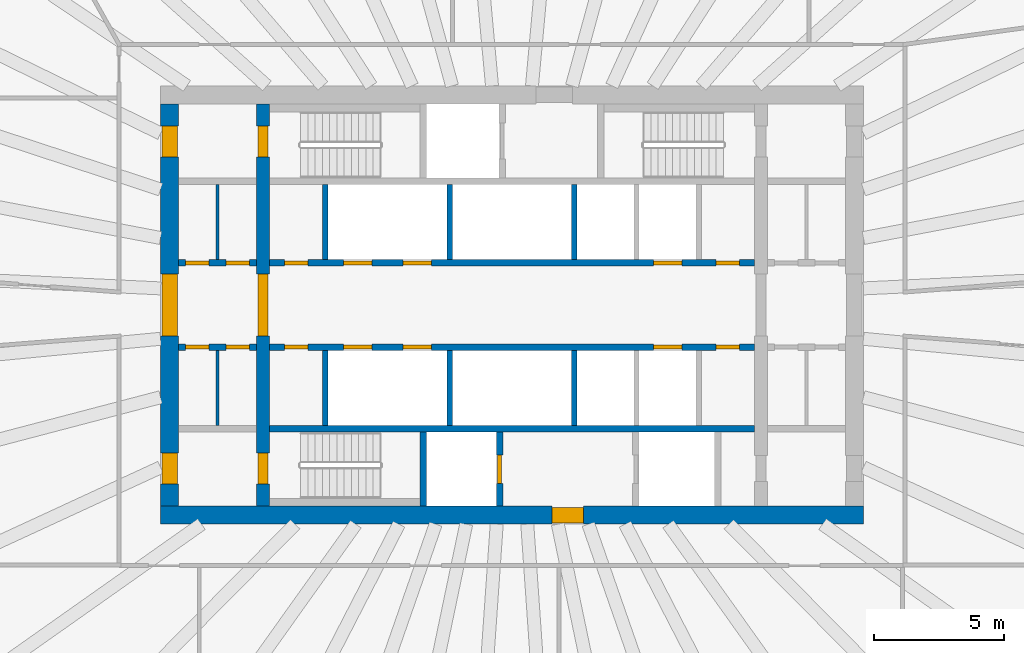
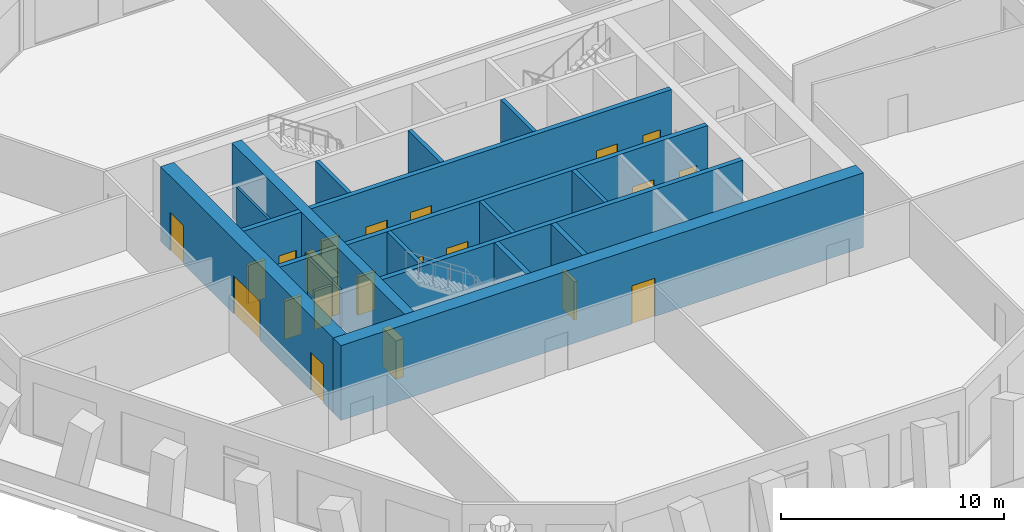
# One storey, part 4 of 11: 22 doors, 18 walls, 22 openings.
"""IFC4 building model written with IfcOpenShell, lengths in metres."""

from ifc_helpers import new_model, si_unit, direction, frame, frame_2d, origin, place, context, subcontext, project, spatial, rectangle, extrude, material, layer, layer_set, type_object, element, fill, save


model = new_model("IFC4")

# Units and contexts
model_context = context("Model", 3, precision=1e-05, world=origin(), true_north=direction((0.0, 1.0)))
body_context = subcontext(model_context, "Body", "Model", "MODEL_VIEW")
ifc_project = project(units=[si_unit("LENGTHUNIT", "METRE"), si_unit("AREAUNIT", "SQUARE_METRE"), si_unit("VOLUMEUNIT", "CUBIC_METRE"), si_unit("PLANEANGLEUNIT", "RADIAN"), si_unit("MASSUNIT", "GRAM", prefix="KILO")], contexts=[model_context])

# Site, building, storey
site_placement = place(None, origin())
site = spatial("IfcSite", under=ifc_project, at=site_placement, CompositionType="ELEMENT")
building_placement = place(site_placement, origin())
building = spatial("IfcBuilding", under=site, at=building_placement, Name="Frailejon Research Tower", CompositionType="ELEMENT")
storey_placement = place(building_placement, frame((0.0, 0.0, 198.0)))
storey = spatial("IfcBuildingStorey", under=building, at=storey_placement, Name="L43", CompositionType="ELEMENT", Elevation=198.0)

# Walls
ifc_material_1 = material(Name="Plasterboard on steel studs", Category="steel")
ifc_layer_1 = layer(ifc_material_1, 0.125)
ifc_layer_set_1 = layer_set([ifc_layer_1], Name="Core partition 125")
wall_type_1 = type_object("IfcWallType", Name="Core partition 125", PredefinedType="PARTITIONING", material=ifc_layer_set_1)
for number, where, z_axis, x_axis, name in (
    (1, (-11.35009765625, 1.75, 0.0), (0.0, 0.0, 1.0), (0.0, 1.0, 0.0), "Core partition"),
    (2, (-11.35009765625, -4.64990234375, 0.0), (0.0, 0.0, 1.0), (0.0, 1.0, 0.0), "Core partition"),
):
    element("IfcWall", number, at=place(storey_placement, frame(where, z_axis=z_axis, x_axis=x_axis)), inside=storey, type_object=wall_type_1, Name=name, PredefinedType="PARTITIONING", context=body_context, shape_type="SweptSolid", body=[
        extrude(rectangle(XDim=2.89990234375, YDim=0.125, at=frame_2d((1.449951171875, 0.0))), origin(), (0.0, 0.0, 1.0), 4.10009765625),
    ])

# Wall, openings, doors
ifc_material_2 = material(Name="Concrete C60/75", Category="concrete")
ifc_layer_2 = layer(ifc_material_2, 0.5)
ifc_layer_set_2 = layer_set([ifc_layer_2], Name="Core shear wall 500 C60/75")
wall_type_2 = type_object("IfcWallType", Name="Core shear wall 500 C60/75", PredefinedType="SHEAR", material=ifc_layer_set_2)
wall_1_placement = place(storey_placement, frame((-9.60009765625, -7.75, 0.0), z_axis=(0.0, 0.0, 1.0), x_axis=(0.0, 1.0, 0.0)))
wall_1 = element("IfcWall", 3, at=wall_1_placement, inside=storey, type_object=wall_type_2, Name="Core shear wall", PredefinedType="SHEAR", context=body_context, shape_type="SweptSolid", body=[
    extrude(rectangle(XDim=15.5, YDim=0.5, at=frame_2d((7.75, 0.0))), origin(), (0.0, 0.0, 1.0), 4.10009765625),
])
opening_1_placement = place(wall_1_placement, frame((6.550048828125, 0.0, 0.0)))
opening_1 = element("IfcOpeningElement", 4, at=opening_1_placement, cuts=wall_1, Name="Opening D2", PredefinedType="OPENING", context=body_context, shape_type="SweptSolid", body=[
    extrude(rectangle(XDim=2.39990234375, YDim=2.10009765625, at=frame_2d((1.199951171875, 1.050048828125))), frame((0.0, 0.260009765625, 0.0), z_axis=(0.0, -1.0, 0.0), x_axis=(1.0, 0.0, 0.0)), (0.0, 0.0, 1.0), 0.52001953125),
])
opening_2_placement = place(wall_1_placement, frame((13.449951171875, 0.0, 0.0)))
opening_2 = element("IfcOpeningElement", 5, at=opening_2_placement, cuts=wall_1, Name="Opening D1", PredefinedType="OPENING", context=body_context, shape_type="SweptSolid", body=[
    extrude(rectangle(XDim=1.199951171875, YDim=2.10009765625, at=frame_2d((0.60009765625, 1.050048828125))), frame((0.0, 0.260009765625, 0.0), z_axis=(0.0, -1.0, 0.0), x_axis=(1.0, 0.0, 0.0)), (0.0, 0.0, 1.0), 0.52001953125),
])
opening_3_placement = place(wall_1_placement, frame((0.85009765625, 0.0, 0.0)))
opening_3 = element("IfcOpeningElement", 6, at=opening_3_placement, cuts=wall_1, Name="Opening D1", PredefinedType="OPENING", context=body_context, shape_type="SweptSolid", body=[
    extrude(rectangle(XDim=1.199951171875, YDim=2.10009765625, at=frame_2d((0.60009765625, 1.050048828125))), frame((0.0, 0.260009765625, 0.0), z_axis=(0.0, -1.0, 0.0), x_axis=(1.0, 0.0, 0.0)), (0.0, 0.0, 1.0), 0.52001953125),
])
ifc_material_3 = material(Name="Steel", Category="steel")
door_type_1 = type_object("IfcDoorType", Name="Lobby double door", OperationType="DOUBLE_DOOR_SINGLE_SWING", PredefinedType="DOOR", material=ifc_material_3)
door_1_placement = place(opening_1_placement, origin())
door_1 = element("IfcDoor", 7, at=door_1_placement, inside=storey, type_object=door_type_1, Name="Lobby door", OperationType="DOUBLE_DOOR_SINGLE_SWING", OverallHeight=2.10009765625, OverallWidth=2.39990234375, PredefinedType="DOOR", context=body_context, shape_type="SweptSolid", body=[
    extrude(rectangle(XDim=2.39990234375, YDim=2.10009765625, at=frame_2d((1.199951171875, 1.050048828125))), frame((0.0, 0.199951171875, 0.0), z_axis=(0.0, -1.0, 0.0), x_axis=(1.0, 0.0, 0.0)), (0.0, 0.0, 1.0), 0.39990234375),
])
fill(opening_1, door_1)
ifc_material_4 = material(Name="Steel", Category="steel")
door_type_2 = type_object("IfcDoorType", Name="Stair door", OperationType="SINGLE_SWING_LEFT", PredefinedType="DOOR", material=ifc_material_4)
door_2_placement = place(opening_2_placement, origin())
door_2 = element("IfcDoor", 8, at=door_2_placement, inside=storey, type_object=door_type_2, Name="Stair door ST1", OperationType="SINGLE_SWING_RIGHT", OverallHeight=2.10009765625, OverallWidth=1.199951171875, PredefinedType="DOOR", context=body_context, shape_type="SweptSolid", body=[
    extrude(rectangle(XDim=1.199951171875, YDim=2.10009765625, at=frame_2d((0.60009765625, 1.050048828125))), frame((0.0, 0.199951171875, 0.0), z_axis=(0.0, -1.0, 0.0), x_axis=(1.0, 0.0, 0.0)), (0.0, 0.0, 1.0), 0.39990234375),
])
fill(opening_2, door_2)
door_3_placement = place(opening_3_placement, origin())
door_3 = element("IfcDoor", 9, at=door_3_placement, inside=storey, type_object=door_type_2, Name="Stair door ST2", OperationType="SINGLE_SWING_RIGHT", OverallHeight=2.10009765625, OverallWidth=1.199951171875, PredefinedType="DOOR", context=body_context, shape_type="SweptSolid", body=[
    extrude(rectangle(XDim=1.199951171875, YDim=2.10009765625, at=frame_2d((0.60009765625, 1.050048828125))), frame((0.0, 0.199951171875, 0.0), z_axis=(0.0, -1.0, 0.0), x_axis=(1.0, 0.0, 0.0)), (0.0, 0.0, 1.0), 0.39990234375),
])
fill(opening_3, door_3)

# Wall, opening, door
ifc_material_5 = material(Name="Concrete C60/75", Category="concrete")
ifc_layer_3 = layer(ifc_material_5, 0.699951171875)
ifc_layer_set_3 = layer_set([ifc_layer_3], Name="Core shear wall 700 C60/75")
wall_type_3 = type_object("IfcWallType", Name="Core shear wall 700 C60/75", PredefinedType="SHEAR", material=ifc_layer_set_3)
wall_2_placement = place(storey_placement, frame((-13.550048828125, -8.10009765625, 0.0), z_axis=(0.0, 0.0, 1.0), x_axis=(1.0, 0.0, 0.0)))
wall_2 = element("IfcWall", 10, at=wall_2_placement, inside=storey, type_object=wall_type_3, Name="Core shear wall", PredefinedType="SHEAR", context=body_context, shape_type="SweptSolid", body=[
    extrude(rectangle(XDim=27.10009765625, YDim=0.699951171875, at=frame_2d((13.550048828125, 0.0))), origin(), (0.0, 0.0, 1.0), 4.10009765625),
])
opening_4_placement = place(wall_2_placement, frame((15.10009765625, 0.0, 0.0)))
opening_4 = element("IfcOpeningElement", 11, at=opening_4_placement, cuts=wall_2, Name="Opening D3", PredefinedType="OPENING", context=body_context, shape_type="SweptSolid", body=[
    extrude(rectangle(XDim=1.199951171875, YDim=2.10009765625, at=frame_2d((0.60009765625, 1.050048828125))), frame((0.0, 0.35986328125, 0.0), z_axis=(0.0, -1.0, 0.0), x_axis=(1.0, 0.0, 0.0)), (0.0, 0.0, 1.0), 0.719970703125),
])
ifc_material_6 = material(Name="Steel", Category="steel")
door_type_3 = type_object("IfcDoorType", Name="Firefighting lobby door", OperationType="SINGLE_SWING_LEFT", PredefinedType="DOOR", material=ifc_material_6)
door_4_placement = place(opening_4_placement, origin())
door_4 = element("IfcDoor", 12, at=door_4_placement, inside=storey, type_object=door_type_3, Name="Firefighting lobby door", OperationType="SINGLE_SWING_RIGHT", OverallHeight=2.10009765625, OverallWidth=1.199951171875, PredefinedType="DOOR", context=body_context, shape_type="SweptSolid", body=[
    extrude(rectangle(XDim=1.199951171875, YDim=2.10009765625, at=frame_2d((0.60009765625, 1.050048828125))), frame((0.0, 0.300048828125, 0.0), z_axis=(0.0, -1.0, 0.0), x_axis=(1.0, 0.0, 0.0)), (0.0, 0.0, 1.0), 0.60009765625),
])
fill(opening_4, door_4)

# Wall, openings, doors
wall_3_placement = place(storey_placement, frame((-13.199951171875, -7.75, 0.0), z_axis=(0.0, 0.0, 1.0), x_axis=(0.0, 1.0, 0.0)))
wall_3 = element("IfcWall", 13, at=wall_3_placement, inside=storey, type_object=wall_type_3, Name="Core shear wall", PredefinedType="SHEAR", context=body_context, shape_type="SweptSolid", body=[
    extrude(rectangle(XDim=15.5, YDim=0.699951171875, at=frame_2d((7.75, 0.0))), origin(), (0.0, 0.0, 1.0), 4.10009765625),
])
opening_5_placement = place(wall_3_placement, frame((6.550048828125, 0.0, 0.0)))
opening_5 = element("IfcOpeningElement", 14, at=opening_5_placement, cuts=wall_3, Name="Opening D2", PredefinedType="OPENING", context=body_context, shape_type="SweptSolid", body=[
    extrude(rectangle(XDim=2.39990234375, YDim=2.10009765625, at=frame_2d((1.199951171875, 1.050048828125))), frame((0.0, 0.35986328125, 0.0), z_axis=(0.0, -1.0, 0.0), x_axis=(1.0, 0.0, 0.0)), (0.0, 0.0, 1.0), 0.719970703125),
])
opening_6_placement = place(wall_3_placement, frame((13.449951171875, 0.0, 0.0)))
opening_6 = element("IfcOpeningElement", 15, at=opening_6_placement, cuts=wall_3, Name="Opening D7", PredefinedType="OPENING", context=body_context, shape_type="SweptSolid", body=[
    extrude(rectangle(XDim=1.199951171875, YDim=2.10009765625, at=frame_2d((0.60009765625, 1.050048828125))), frame((0.0, 0.35986328125, 0.0), z_axis=(0.0, -1.0, 0.0), x_axis=(1.0, 0.0, 0.0)), (0.0, 0.0, 1.0), 0.719970703125),
])
opening_7_placement = place(wall_3_placement, frame((0.85009765625, 0.0, 0.0)))
opening_7 = element("IfcOpeningElement", 16, at=opening_7_placement, cuts=wall_3, Name="Opening D7", PredefinedType="OPENING", context=body_context, shape_type="SweptSolid", body=[
    extrude(rectangle(XDim=1.199951171875, YDim=2.10009765625, at=frame_2d((0.60009765625, 1.050048828125))), frame((0.0, 0.35986328125, 0.0), z_axis=(0.0, -1.0, 0.0), x_axis=(1.0, 0.0, 0.0)), (0.0, 0.0, 1.0), 0.719970703125),
])
door_5_placement = place(opening_5_placement, origin())
door_5 = element("IfcDoor", 17, at=door_5_placement, inside=storey, type_object=door_type_1, Name="Lobby door", OperationType="DOUBLE_DOOR_SINGLE_SWING", OverallHeight=2.10009765625, OverallWidth=2.39990234375, PredefinedType="DOOR", context=body_context, shape_type="SweptSolid", body=[
    extrude(rectangle(XDim=2.39990234375, YDim=2.10009765625, at=frame_2d((1.199951171875, 1.050048828125))), frame((0.0, 0.300048828125, 0.0), z_axis=(0.0, -1.0, 0.0), x_axis=(1.0, 0.0, 0.0)), (0.0, 0.0, 1.0), 0.60009765625),
])
fill(opening_5, door_5)
ifc_material_7 = material(Name="Steel", Category="steel")
door_type_4 = type_object("IfcDoorType", Name="Stair exit door", OperationType="SINGLE_SWING_LEFT", PredefinedType="DOOR", material=ifc_material_7)
door_6_placement = place(opening_6_placement, origin())
door_6 = element("IfcDoor", 18, at=door_6_placement, inside=storey, type_object=door_type_4, Name="Stair exit door ST1", OperationType="SINGLE_SWING_LEFT", OverallHeight=2.10009765625, OverallWidth=1.199951171875, PredefinedType="DOOR", context=body_context, shape_type="SweptSolid", body=[
    extrude(rectangle(XDim=1.199951171875, YDim=2.10009765625, at=frame_2d((0.60009765625, 1.050048828125))), frame((0.0, 0.300048828125, 0.0), z_axis=(0.0, -1.0, 0.0), x_axis=(1.0, 0.0, 0.0)), (0.0, 0.0, 1.0), 0.60009765625),
])
fill(opening_6, door_6)
door_7_placement = place(opening_7_placement, origin())
door_7 = element("IfcDoor", 19, at=door_7_placement, inside=storey, type_object=door_type_4, Name="Stair exit door ST2", OperationType="SINGLE_SWING_LEFT", OverallHeight=2.10009765625, OverallWidth=1.199951171875, PredefinedType="DOOR", context=body_context, shape_type="SweptSolid", body=[
    extrude(rectangle(XDim=1.199951171875, YDim=2.10009765625, at=frame_2d((0.60009765625, 1.050048828125))), frame((0.0, 0.300048828125, 0.0), z_axis=(0.0, -1.0, 0.0), x_axis=(1.0, 0.0, 0.0)), (0.0, 0.0, 1.0), 0.60009765625),
])
fill(opening_7, door_7)

# Walls
ifc_material_8 = material(Name="Concrete C60/75", Category="concrete")
ifc_layer_4 = layer(ifc_material_8, 0.199951171875)
ifc_layer_set_4 = layer_set([ifc_layer_4], Name="Shaft wall 200 C60/75")
wall_type_4 = type_object("IfcWallType", Name="Shaft wall 200 C60/75", PredefinedType="SOLIDWALL", material=ifc_layer_set_4)
for number, where, z_axis, x_axis, name in (
    (20, (-7.199951171875, 1.75, 0.0), (0.0, 0.0, 1.0), (0.0, 1.0, 0.0), "Shaft wall"),
    (21, (-2.39990234375, 1.75, 0.0), (0.0, 0.0, 1.0), (0.0, 1.0, 0.0), "Shaft wall"),
    (22, (2.39990234375, 1.75, 0.0), (0.0, 0.0, 1.0), (0.0, 1.0, 0.0), "Shaft wall"),
    (23, (-7.199951171875, -4.64990234375, 0.0), (0.0, 0.0, 1.0), (0.0, 1.0, 0.0), "Shaft wall"),
    (24, (-2.39990234375, -4.64990234375, 0.0), (0.0, 0.0, 1.0), (0.0, 1.0, 0.0), "Shaft wall"),
    (25, (2.39990234375, -4.64990234375, 0.0), (0.0, 0.0, 1.0), (0.0, 1.0, 0.0), "Shaft wall"),
):
    element("IfcWall", number, at=place(storey_placement, frame(where, z_axis=z_axis, x_axis=x_axis)), inside=storey, type_object=wall_type_4, Name=name, PredefinedType="SOLIDWALL", context=body_context, shape_type="SweptSolid", body=[
        extrude(rectangle(XDim=2.89990234375, YDim=0.199951171875, at=frame_2d((1.449951171875, 0.0))), origin(), (0.0, 0.0, 1.0), 4.10009765625),
    ])

# Wall, openings, doors
ifc_material_9 = material(Name="Concrete C60/75", Category="concrete")
ifc_layer_5 = layer(ifc_material_9, 0.25)
ifc_layer_set_5 = layer_set([ifc_layer_5], Name="Shaft wall 250 C60/75")
wall_type_5 = type_object("IfcWallType", Name="Shaft wall 250 C60/75", PredefinedType="SOLIDWALL", material=ifc_layer_set_5)
wall_4_placement = place(storey_placement, frame((-12.85009765625, 1.625, 0.0), z_axis=(0.0, 0.0, 1.0), x_axis=(1.0, 0.0, 0.0)))
wall_4 = element("IfcWall", 26, at=wall_4_placement, inside=storey, type_object=wall_type_5, Name="Shaft wall", PredefinedType="SOLIDWALL", context=body_context, shape_type="SweptSolid", body=[
    extrude(rectangle(XDim=3.0, YDim=0.25, at=frame_2d((1.5, 0.0))), origin(), (0.0, 0.0, 1.0), 4.10009765625),
])
opening_8_placement = place(wall_4_placement, frame((0.268798828125, 0.0, 0.0)))
opening_8 = element("IfcOpeningElement", 27, at=opening_8_placement, cuts=wall_4, Name="Opening D8", PredefinedType="OPENING", context=body_context, shape_type="SweptSolid", body=[
    extrude(rectangle(XDim=0.89990234375, YDim=2.10009765625, at=frame_2d((0.449951171875, 1.050048828125))), frame((0.0, 0.135009765625, 0.0), z_axis=(0.0, -1.0, 0.0), x_axis=(1.0, 0.0, 0.0)), (0.0, 0.0, 1.0), 0.27001953125),
])
opening_9_placement = place(wall_4_placement, frame((1.831298828125, 0.0, 0.0)))
opening_9 = element("IfcOpeningElement", 28, at=opening_9_placement, cuts=wall_4, Name="Opening D8", PredefinedType="OPENING", context=body_context, shape_type="SweptSolid", body=[
    extrude(rectangle(XDim=0.89990234375, YDim=2.10009765625, at=frame_2d((0.449951171875, 1.050048828125))), frame((0.0, 0.135009765625, 0.0), z_axis=(0.0, -1.0, 0.0), x_axis=(1.0, 0.0, 0.0)), (0.0, 0.0, 1.0), 0.27001953125),
])
ifc_material_10 = material(Name="Steel", Category="steel")
door_type_5 = type_object("IfcDoorType", Name="Core room door", OperationType="SINGLE_SWING_LEFT", PredefinedType="DOOR", material=ifc_material_10)
door_8_placement = place(opening_8_placement, origin())
door_8 = element("IfcDoor", 29, at=door_8_placement, inside=storey, type_object=door_type_5, Name="Room door", OperationType="SINGLE_SWING_RIGHT", OverallHeight=2.10009765625, OverallWidth=0.89990234375, PredefinedType="DOOR", context=body_context, shape_type="SweptSolid", body=[
    extrude(rectangle(XDim=0.89990234375, YDim=2.10009765625, at=frame_2d((0.449951171875, 1.050048828125))), frame((0.0, 0.074951171875, 0.0), z_axis=(0.0, -1.0, 0.0), x_axis=(1.0, 0.0, 0.0)), (0.0, 0.0, 1.0), 0.14990234375),
])
fill(opening_8, door_8)
door_9_placement = place(opening_9_placement, origin())
door_9 = element("IfcDoor", 30, at=door_9_placement, inside=storey, type_object=door_type_5, Name="Room door", OperationType="SINGLE_SWING_LEFT", OverallHeight=2.10009765625, OverallWidth=0.89990234375, PredefinedType="DOOR", context=body_context, shape_type="SweptSolid", body=[
    extrude(rectangle(XDim=0.89990234375, YDim=2.10009765625, at=frame_2d((0.449951171875, 1.050048828125))), frame((0.0, 0.074951171875, 0.0), z_axis=(0.0, -1.0, 0.0), x_axis=(1.0, 0.0, 0.0)), (0.0, 0.0, 1.0), 0.14990234375),
])
fill(opening_9, door_9)

wall_5_placement = place(storey_placement, frame((-9.35009765625, 1.625, 0.0), z_axis=(0.0, 0.0, 1.0), x_axis=(1.0, 0.0, 0.0)))
wall_5 = element("IfcWall", 31, at=wall_5_placement, inside=storey, type_object=wall_type_5, Name="Shaft wall", PredefinedType="SOLIDWALL", context=body_context, shape_type="SweptSolid", body=[
    extrude(rectangle(XDim=18.7001953125, YDim=0.25, at=frame_2d((9.35009765625, 0.0))), origin(), (0.0, 0.0, 1.0), 4.10009765625),
])
opening_10_placement = place(wall_5_placement, frame((2.85009765625, 0.0, 0.0)))
opening_10 = element("IfcOpeningElement", 32, at=opening_10_placement, cuts=wall_5, Name="Opening LD", PredefinedType="OPENING", context=body_context, shape_type="SweptSolid", body=[
    extrude(rectangle(XDim=1.10009765625, YDim=2.10009765625, at=frame_2d((0.550048828125, 1.050048828125))), frame((0.0, 0.135009765625, 0.0), z_axis=(0.0, -1.0, 0.0), x_axis=(1.0, 0.0, 0.0)), (0.0, 0.0, 1.0), 0.27001953125),
])
opening_11_placement = place(wall_5_placement, frame((5.14990234375, 0.0, 0.0)))
opening_11 = element("IfcOpeningElement", 33, at=opening_11_placement, cuts=wall_5, Name="Opening LD", PredefinedType="OPENING", context=body_context, shape_type="SweptSolid", body=[
    extrude(rectangle(XDim=1.10009765625, YDim=2.10009765625, at=frame_2d((0.550048828125, 1.050048828125))), frame((0.0, 0.135009765625, 0.0), z_axis=(0.0, -1.0, 0.0), x_axis=(1.0, 0.0, 0.0)), (0.0, 0.0, 1.0), 0.27001953125),
])
opening_12_placement = place(wall_5_placement, frame((14.800048828125, 0.0, 0.0)))
opening_12 = element("IfcOpeningElement", 34, at=opening_12_placement, cuts=wall_5, Name="Opening LD", PredefinedType="OPENING", context=body_context, shape_type="SweptSolid", body=[
    extrude(rectangle(XDim=1.10009765625, YDim=2.10009765625, at=frame_2d((0.550048828125, 1.050048828125))), frame((0.0, 0.135009765625, 0.0), z_axis=(0.0, -1.0, 0.0), x_axis=(1.0, 0.0, 0.0)), (0.0, 0.0, 1.0), 0.27001953125),
])
opening_13_placement = place(wall_5_placement, frame((0.574951171875, 0.0, 0.0)))
opening_13 = element("IfcOpeningElement", 35, at=opening_13_placement, cuts=wall_5, Name="Opening D8", PredefinedType="OPENING", context=body_context, shape_type="SweptSolid", body=[
    extrude(rectangle(XDim=0.89990234375, YDim=2.10009765625, at=frame_2d((0.449951171875, 1.050048828125))), frame((0.0, 0.135009765625, 0.0), z_axis=(0.0, -1.0, 0.0), x_axis=(1.0, 0.0, 0.0)), (0.0, 0.0, 1.0), 0.27001953125),
])
opening_14_placement = place(wall_5_placement, frame((17.22509765625, 0.0, 0.0)))
opening_14 = element("IfcOpeningElement", 36, at=opening_14_placement, cuts=wall_5, Name="Opening D8", PredefinedType="OPENING", context=body_context, shape_type="SweptSolid", body=[
    extrude(rectangle(XDim=0.89990234375, YDim=2.10009765625, at=frame_2d((0.449951171875, 1.050048828125))), frame((0.0, 0.135009765625, 0.0), z_axis=(0.0, -1.0, 0.0), x_axis=(1.0, 0.0, 0.0)), (0.0, 0.0, 1.0), 0.27001953125),
])
door_10_placement = place(opening_13_placement, origin())
door_10 = element("IfcDoor", 37, at=door_10_placement, inside=storey, type_object=door_type_5, Name="Room door", OperationType="SINGLE_SWING_RIGHT", OverallHeight=2.10009765625, OverallWidth=0.89990234375, PredefinedType="DOOR", context=body_context, shape_type="SweptSolid", body=[
    extrude(rectangle(XDim=0.89990234375, YDim=2.10009765625, at=frame_2d((0.449951171875, 1.050048828125))), frame((0.0, 0.074951171875, 0.0), z_axis=(0.0, -1.0, 0.0), x_axis=(1.0, 0.0, 0.0)), (0.0, 0.0, 1.0), 0.14990234375),
])
fill(opening_13, door_10)
door_11_placement = place(opening_14_placement, origin())
door_11 = element("IfcDoor", 38, at=door_11_placement, inside=storey, type_object=door_type_5, Name="Room door", OperationType="SINGLE_SWING_LEFT", OverallHeight=2.10009765625, OverallWidth=0.89990234375, PredefinedType="DOOR", context=body_context, shape_type="SweptSolid", body=[
    extrude(rectangle(XDim=0.89990234375, YDim=2.10009765625, at=frame_2d((0.449951171875, 1.050048828125))), frame((0.0, 0.074951171875, 0.0), z_axis=(0.0, -1.0, 0.0), x_axis=(1.0, 0.0, 0.0)), (0.0, 0.0, 1.0), 0.14990234375),
])
fill(opening_14, door_11)
ifc_material_11 = material(Name="Steel", Category="steel")
door_type_6 = type_object("IfcDoorType", Name="Lift landing door", OperationType="DOUBLE_DOOR_SLIDING", PredefinedType="DOOR", material=ifc_material_11)
door_12_placement = place(opening_10_placement, origin())
door_12 = element("IfcDoor", 39, at=door_12_placement, inside=storey, type_object=door_type_6, Name="Lift landing door", OperationType="DOUBLE_DOOR_SLIDING", OverallHeight=2.10009765625, OverallWidth=1.10009765625, PredefinedType="DOOR", context=body_context, shape_type="SweptSolid", body=[
    extrude(rectangle(XDim=1.10009765625, YDim=2.10009765625, at=frame_2d((0.550048828125, 1.050048828125))), frame((0.0, 0.074951171875, 0.0), z_axis=(0.0, -1.0, 0.0), x_axis=(1.0, 0.0, 0.0)), (0.0, 0.0, 1.0), 0.14990234375),
])
fill(opening_10, door_12)
door_13_placement = place(opening_11_placement, origin())
door_13 = element("IfcDoor", 40, at=door_13_placement, inside=storey, type_object=door_type_6, Name="Lift landing door", OperationType="DOUBLE_DOOR_SLIDING", OverallHeight=2.10009765625, OverallWidth=1.10009765625, PredefinedType="DOOR", context=body_context, shape_type="SweptSolid", body=[
    extrude(rectangle(XDim=1.10009765625, YDim=2.10009765625, at=frame_2d((0.550048828125, 1.050048828125))), frame((0.0, 0.074951171875, 0.0), z_axis=(0.0, -1.0, 0.0), x_axis=(1.0, 0.0, 0.0)), (0.0, 0.0, 1.0), 0.14990234375),
])
fill(opening_11, door_13)
door_14_placement = place(opening_12_placement, origin())
door_14 = element("IfcDoor", 41, at=door_14_placement, inside=storey, type_object=door_type_6, Name="Lift landing door", OperationType="DOUBLE_DOOR_SLIDING", OverallHeight=2.10009765625, OverallWidth=1.10009765625, PredefinedType="DOOR", context=body_context, shape_type="SweptSolid", body=[
    extrude(rectangle(XDim=1.10009765625, YDim=2.10009765625, at=frame_2d((0.550048828125, 1.050048828125))), frame((0.0, 0.074951171875, 0.0), z_axis=(0.0, -1.0, 0.0), x_axis=(1.0, 0.0, 0.0)), (0.0, 0.0, 1.0), 0.14990234375),
])
fill(opening_12, door_14)

wall_6_placement = place(storey_placement, frame((-12.85009765625, -1.625, 0.0), z_axis=(0.0, 0.0, 1.0), x_axis=(1.0, 0.0, 0.0)))
wall_6 = element("IfcWall", 42, at=wall_6_placement, inside=storey, type_object=wall_type_5, Name="Shaft wall", PredefinedType="SOLIDWALL", context=body_context, shape_type="SweptSolid", body=[
    extrude(rectangle(XDim=3.0, YDim=0.25, at=frame_2d((1.5, 0.0))), origin(), (0.0, 0.0, 1.0), 4.10009765625),
])
opening_15_placement = place(wall_6_placement, frame((0.268798828125, 0.0, 0.0)))
opening_15 = element("IfcOpeningElement", 43, at=opening_15_placement, cuts=wall_6, Name="Opening D8", PredefinedType="OPENING", context=body_context, shape_type="SweptSolid", body=[
    extrude(rectangle(XDim=0.89990234375, YDim=2.10009765625, at=frame_2d((0.449951171875, 1.050048828125))), frame((0.0, 0.135009765625, 0.0), z_axis=(0.0, -1.0, 0.0), x_axis=(1.0, 0.0, 0.0)), (0.0, 0.0, 1.0), 0.27001953125),
])
opening_16_placement = place(wall_6_placement, frame((1.831298828125, 0.0, 0.0)))
opening_16 = element("IfcOpeningElement", 44, at=opening_16_placement, cuts=wall_6, Name="Opening D8", PredefinedType="OPENING", context=body_context, shape_type="SweptSolid", body=[
    extrude(rectangle(XDim=0.89990234375, YDim=2.10009765625, at=frame_2d((0.449951171875, 1.050048828125))), frame((0.0, 0.135009765625, 0.0), z_axis=(0.0, -1.0, 0.0), x_axis=(1.0, 0.0, 0.0)), (0.0, 0.0, 1.0), 0.27001953125),
])
door_15_placement = place(opening_15_placement, origin())
door_15 = element("IfcDoor", 45, at=door_15_placement, inside=storey, type_object=door_type_5, Name="Room door", OperationType="SINGLE_SWING_RIGHT", OverallHeight=2.10009765625, OverallWidth=0.89990234375, PredefinedType="DOOR", context=body_context, shape_type="SweptSolid", body=[
    extrude(rectangle(XDim=0.89990234375, YDim=2.10009765625, at=frame_2d((0.449951171875, 1.050048828125))), frame((0.0, 0.074951171875, 0.0), z_axis=(0.0, -1.0, 0.0), x_axis=(1.0, 0.0, 0.0)), (0.0, 0.0, 1.0), 0.14990234375),
])
fill(opening_15, door_15)
door_16_placement = place(opening_16_placement, origin())
door_16 = element("IfcDoor", 46, at=door_16_placement, inside=storey, type_object=door_type_5, Name="Room door", OperationType="SINGLE_SWING_LEFT", OverallHeight=2.10009765625, OverallWidth=0.89990234375, PredefinedType="DOOR", context=body_context, shape_type="SweptSolid", body=[
    extrude(rectangle(XDim=0.89990234375, YDim=2.10009765625, at=frame_2d((0.449951171875, 1.050048828125))), frame((0.0, 0.074951171875, 0.0), z_axis=(0.0, -1.0, 0.0), x_axis=(1.0, 0.0, 0.0)), (0.0, 0.0, 1.0), 0.14990234375),
])
fill(opening_16, door_16)

wall_7_placement = place(storey_placement, frame((-9.35009765625, -1.625, 0.0), z_axis=(0.0, 0.0, 1.0), x_axis=(1.0, 0.0, 0.0)))
wall_7 = element("IfcWall", 47, at=wall_7_placement, inside=storey, type_object=wall_type_5, Name="Shaft wall", PredefinedType="SOLIDWALL", context=body_context, shape_type="SweptSolid", body=[
    extrude(rectangle(XDim=18.7001953125, YDim=0.25, at=frame_2d((9.35009765625, 0.0))), origin(), (0.0, 0.0, 1.0), 4.10009765625),
])
opening_17_placement = place(wall_7_placement, frame((2.85009765625, 0.0, 0.0)))
opening_17 = element("IfcOpeningElement", 48, at=opening_17_placement, cuts=wall_7, Name="Opening LD", PredefinedType="OPENING", context=body_context, shape_type="SweptSolid", body=[
    extrude(rectangle(XDim=1.10009765625, YDim=2.10009765625, at=frame_2d((0.550048828125, 1.050048828125))), frame((0.0, 0.135009765625, 0.0), z_axis=(0.0, -1.0, 0.0), x_axis=(1.0, 0.0, 0.0)), (0.0, 0.0, 1.0), 0.27001953125),
])
opening_18_placement = place(wall_7_placement, frame((5.14990234375, 0.0, 0.0)))
opening_18 = element("IfcOpeningElement", 49, at=opening_18_placement, cuts=wall_7, Name="Opening LD", PredefinedType="OPENING", context=body_context, shape_type="SweptSolid", body=[
    extrude(rectangle(XDim=1.10009765625, YDim=2.10009765625, at=frame_2d((0.550048828125, 1.050048828125))), frame((0.0, 0.135009765625, 0.0), z_axis=(0.0, -1.0, 0.0), x_axis=(1.0, 0.0, 0.0)), (0.0, 0.0, 1.0), 0.27001953125),
])
opening_19_placement = place(wall_7_placement, frame((14.800048828125, 0.0, 0.0)))
opening_19 = element("IfcOpeningElement", 50, at=opening_19_placement, cuts=wall_7, Name="Opening LD", PredefinedType="OPENING", context=body_context, shape_type="SweptSolid", body=[
    extrude(rectangle(XDim=1.10009765625, YDim=2.10009765625, at=frame_2d((0.550048828125, 1.050048828125))), frame((0.0, 0.135009765625, 0.0), z_axis=(0.0, -1.0, 0.0), x_axis=(1.0, 0.0, 0.0)), (0.0, 0.0, 1.0), 0.27001953125),
])
opening_20_placement = place(wall_7_placement, frame((0.574951171875, 0.0, 0.0)))
opening_20 = element("IfcOpeningElement", 51, at=opening_20_placement, cuts=wall_7, Name="Opening D8", PredefinedType="OPENING", context=body_context, shape_type="SweptSolid", body=[
    extrude(rectangle(XDim=0.89990234375, YDim=2.10009765625, at=frame_2d((0.449951171875, 1.050048828125))), frame((0.0, 0.135009765625, 0.0), z_axis=(0.0, -1.0, 0.0), x_axis=(1.0, 0.0, 0.0)), (0.0, 0.0, 1.0), 0.27001953125),
])
opening_21_placement = place(wall_7_placement, frame((17.22509765625, 0.0, 0.0)))
opening_21 = element("IfcOpeningElement", 52, at=opening_21_placement, cuts=wall_7, Name="Opening D8", PredefinedType="OPENING", context=body_context, shape_type="SweptSolid", body=[
    extrude(rectangle(XDim=0.89990234375, YDim=2.10009765625, at=frame_2d((0.449951171875, 1.050048828125))), frame((0.0, 0.135009765625, 0.0), z_axis=(0.0, -1.0, 0.0), x_axis=(1.0, 0.0, 0.0)), (0.0, 0.0, 1.0), 0.27001953125),
])
door_17_placement = place(opening_20_placement, origin())
door_17 = element("IfcDoor", 53, at=door_17_placement, inside=storey, type_object=door_type_5, Name="Room door", OperationType="SINGLE_SWING_RIGHT", OverallHeight=2.10009765625, OverallWidth=0.89990234375, PredefinedType="DOOR", context=body_context, shape_type="SweptSolid", body=[
    extrude(rectangle(XDim=0.89990234375, YDim=2.10009765625, at=frame_2d((0.449951171875, 1.050048828125))), frame((0.0, 0.074951171875, 0.0), z_axis=(0.0, -1.0, 0.0), x_axis=(1.0, 0.0, 0.0)), (0.0, 0.0, 1.0), 0.14990234375),
])
fill(opening_20, door_17)
door_18_placement = place(opening_21_placement, origin())
door_18 = element("IfcDoor", 54, at=door_18_placement, inside=storey, type_object=door_type_5, Name="Room door", OperationType="SINGLE_SWING_LEFT", OverallHeight=2.10009765625, OverallWidth=0.89990234375, PredefinedType="DOOR", context=body_context, shape_type="SweptSolid", body=[
    extrude(rectangle(XDim=0.89990234375, YDim=2.10009765625, at=frame_2d((0.449951171875, 1.050048828125))), frame((0.0, 0.074951171875, 0.0), z_axis=(0.0, -1.0, 0.0), x_axis=(1.0, 0.0, 0.0)), (0.0, 0.0, 1.0), 0.14990234375),
])
fill(opening_21, door_18)
door_19_placement = place(opening_17_placement, origin())
door_19 = element("IfcDoor", 55, at=door_19_placement, inside=storey, type_object=door_type_6, Name="Lift landing door", OperationType="DOUBLE_DOOR_SLIDING", OverallHeight=2.10009765625, OverallWidth=1.10009765625, PredefinedType="DOOR", context=body_context, shape_type="SweptSolid", body=[
    extrude(rectangle(XDim=1.10009765625, YDim=2.10009765625, at=frame_2d((0.550048828125, 1.050048828125))), frame((0.0, 0.074951171875, 0.0), z_axis=(0.0, -1.0, 0.0), x_axis=(1.0, 0.0, 0.0)), (0.0, 0.0, 1.0), 0.14990234375),
])
fill(opening_17, door_19)
door_20_placement = place(opening_18_placement, origin())
door_20 = element("IfcDoor", 56, at=door_20_placement, inside=storey, type_object=door_type_6, Name="Lift landing door", OperationType="DOUBLE_DOOR_SLIDING", OverallHeight=2.10009765625, OverallWidth=1.10009765625, PredefinedType="DOOR", context=body_context, shape_type="SweptSolid", body=[
    extrude(rectangle(XDim=1.10009765625, YDim=2.10009765625, at=frame_2d((0.550048828125, 1.050048828125))), frame((0.0, 0.074951171875, 0.0), z_axis=(0.0, -1.0, 0.0), x_axis=(1.0, 0.0, 0.0)), (0.0, 0.0, 1.0), 0.14990234375),
])
fill(opening_18, door_20)
door_21_placement = place(opening_19_placement, origin())
door_21 = element("IfcDoor", 57, at=door_21_placement, inside=storey, type_object=door_type_6, Name="Lift landing door", OperationType="DOUBLE_DOOR_SLIDING", OverallHeight=2.10009765625, OverallWidth=1.10009765625, PredefinedType="DOOR", context=body_context, shape_type="SweptSolid", body=[
    extrude(rectangle(XDim=1.10009765625, YDim=2.10009765625, at=frame_2d((0.550048828125, 1.050048828125))), frame((0.0, 0.074951171875, 0.0), z_axis=(0.0, -1.0, 0.0), x_axis=(1.0, 0.0, 0.0)), (0.0, 0.0, 1.0), 0.14990234375),
])
fill(opening_19, door_21)

# Walls
wall_8_placement = place(storey_placement, frame((-9.35009765625, -4.77490234375, 0.0), z_axis=(0.0, 0.0, 1.0), x_axis=(1.0, 0.0, 0.0)))
element("IfcWall", 58, at=wall_8_placement, inside=storey, type_object=wall_type_5, Name="Shaft wall", PredefinedType="SOLIDWALL", context=body_context, shape_type="SweptSolid", body=[
    extrude(rectangle(XDim=18.7001953125, YDim=0.25, at=frame_2d((9.35009765625, 0.0))), origin(), (0.0, 0.0, 1.0), 4.10009765625),
])
wall_9_placement = place(storey_placement, frame((-3.425048828125, -7.75, 0.0), z_axis=(0.0, 0.0, 1.0), x_axis=(0.0, 1.0, 0.0)))
element("IfcWall", 59, at=wall_9_placement, inside=storey, type_object=wall_type_5, Name="Shaft wall", PredefinedType="SOLIDWALL", context=body_context, shape_type="SweptSolid", body=[
    extrude(rectangle(XDim=2.85009765625, YDim=0.25, at=frame_2d((1.425048828125, 0.0))), origin(), (0.0, 0.0, 1.0), 4.10009765625),
])

# Wall, opening, door
wall_10_placement = place(storey_placement, frame((-0.47509765625, -7.75, 0.0), z_axis=(0.0, 0.0, 1.0), x_axis=(0.0, 1.0, 0.0)))
wall_10 = element("IfcWall", 60, at=wall_10_placement, inside=storey, type_object=wall_type_5, Name="Shaft wall", PredefinedType="SOLIDWALL", context=body_context, shape_type="SweptSolid", body=[
    extrude(rectangle(XDim=2.85009765625, YDim=0.25, at=frame_2d((1.425048828125, 0.0))), origin(), (0.0, 0.0, 1.0), 4.10009765625),
])
opening_22_placement = place(wall_10_placement, frame((0.875, 0.0, 0.0)))
opening_22 = element("IfcOpeningElement", 61, at=opening_22_placement, cuts=wall_10, Name="Opening LD", PredefinedType="OPENING", context=body_context, shape_type="SweptSolid", body=[
    extrude(rectangle(XDim=1.10009765625, YDim=2.10009765625, at=frame_2d((0.550048828125, 1.050048828125))), frame((0.0, 0.135009765625, 0.0), z_axis=(0.0, -1.0, 0.0), x_axis=(1.0, 0.0, 0.0)), (0.0, 0.0, 1.0), 0.27001953125),
])
door_22_placement = place(opening_22_placement, origin())
door_22 = element("IfcDoor", 62, at=door_22_placement, inside=storey, type_object=door_type_6, Name="Lift landing door", OperationType="DOUBLE_DOOR_SLIDING", OverallHeight=2.10009765625, OverallWidth=1.10009765625, PredefinedType="DOOR", context=body_context, shape_type="SweptSolid", body=[
    extrude(rectangle(XDim=1.10009765625, YDim=2.10009765625, at=frame_2d((0.550048828125, 1.050048828125))), frame((0.0, 0.074951171875, 0.0), z_axis=(0.0, -1.0, 0.0), x_axis=(1.0, 0.0, 0.0)), (0.0, 0.0, 1.0), 0.14990234375),
])
fill(opening_22, door_22)

save(model, "model.ifc")
